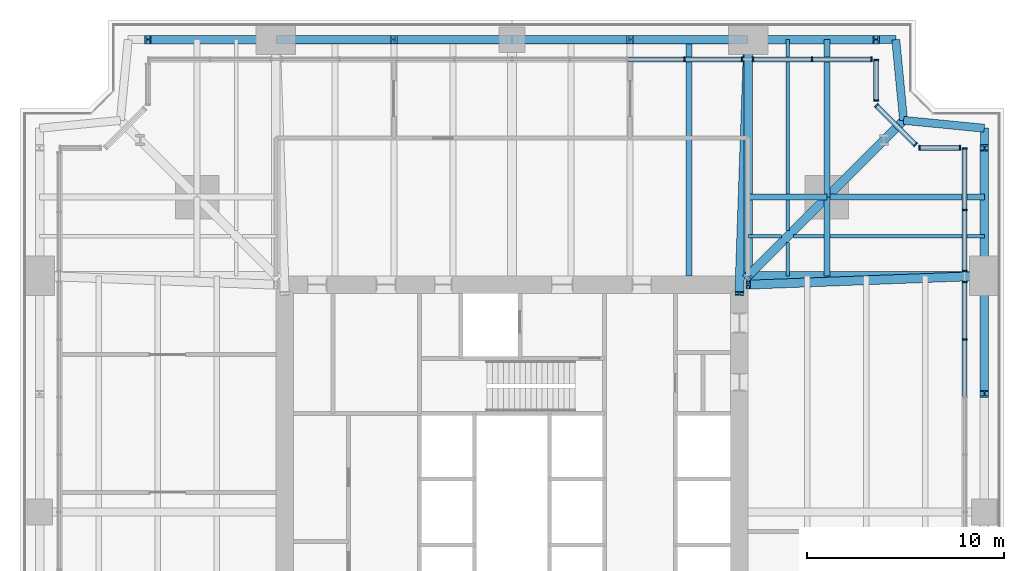
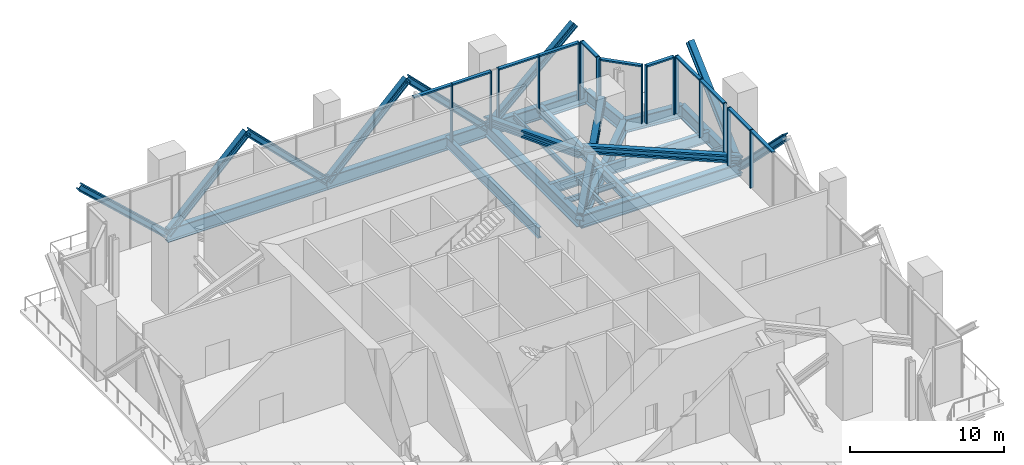
# One storey, part 8 of 14: 38 members, 21 beams, 7 elements without a shape of their own.
"""IFC4 building model written with IfcOpenShell, lengths in metres."""

from ifc_helpers import new_model, si_unit, direction, frame, origin, origin_2d, place, context, subcontext, project, spatial, rectangle, i_section, extrude, material, material_profile, profile_set, type_object, element, aggregate, save


model = new_model("IFC4")

# Units and contexts
model_context = context("Model", 3, precision=1e-05, world=origin(), true_north=direction((0.0, 1.0)))
body_context = subcontext(model_context, "Body", "Model", "MODEL_VIEW")
ifc_project = project(units=[si_unit("LENGTHUNIT", "METRE"), si_unit("AREAUNIT", "SQUARE_METRE"), si_unit("VOLUMEUNIT", "CUBIC_METRE"), si_unit("PLANEANGLEUNIT", "RADIAN"), si_unit("MASSUNIT", "GRAM", prefix="KILO")], contexts=[model_context])

# Site, building, storey
site_placement = place(None, origin())
site = spatial("IfcSite", under=ifc_project, at=site_placement, CompositionType="ELEMENT")
building_placement = place(site_placement, origin())
building = spatial("IfcBuilding", under=site, at=building_placement, Name="Fenwick Lantern Interchange", CompositionType="ELEMENT")
storey_placement = place(building_placement, frame((0.0, 0.0, 162.39990234375)))
storey = spatial("IfcBuildingStorey", under=building, at=storey_placement, Name="L38", CompositionType="ELEMENT", Elevation=162.39990234375)

# Members
ifc_material_1 = material(Name="Steel ASTM A992 Grade 50", Category="steel")
ifc_material_profile_1 = material_profile(ifc_material_1, i_section(OverallWidth=0.431884765625, OverallDepth=0.497802734375, WebThickness=0.0556640625, FlangeThickness=0.0888671875, at=origin_2d()), Name="W14X500")
ifc_profile_set_1 = profile_set([ifc_material_profile_1], Name="Steel ASTM A992 Grade 50")
member_type_1 = type_object("IfcMemberType", Name="BELT TRUSS DIAGONAL W14X500", PredefinedType="BRACE", material=ifc_profile_set_1)
member_1_placement = place(storey_placement, frame((49.0, 37.0, -0.64990234375), z_axis=(0.0, -0.707106781187, 0.707106781187), x_axis=(1.0, 0.0, 0.0)))
element("IfcMember", 1, at=member_1_placement, inside=storey, type_object=member_type_1, Name="L38/BT/E/D5", PredefinedType="BRACE", context=body_context, shape_type="SweptSolid", body=[
    extrude(i_section(OverallWidth=0.431884765625, OverallDepth=0.497802734375, WebThickness=0.0556640625, FlangeThickness=0.0888671875, at=origin_2d()), origin(), (0.0, 0.0, 1.0), 8.4853515625),
])
for number, where, z_axis, x_axis, name in (
    (2, (49.0, 37.0, -0.64990234375), (0.0, 0.734803444627, 0.678280102733), (-1.0, 0.0, 0.0), "L38/BT/E/D6"),
    (3, (37.0, 49.0, -0.64990234375), (0.734803444627, 0.0, 0.678280102733), (0.0, 1.0, 0.0), "L38/BT/N/D1"),
):
    element("IfcMember", number, at=place(storey_placement, frame(where, z_axis=z_axis, x_axis=x_axis)), inside=storey, type_object=member_type_1, Name=name, PredefinedType="BRACE", context=body_context, shape_type="SweptSolid", body=[
        extrude(i_section(OverallWidth=0.431884765625, OverallDepth=0.497802734375, WebThickness=0.0556640625, FlangeThickness=0.0888671875, at=origin_2d()), origin(), (0.0, 0.0, 1.0), 8.845947265625),
    ])
for number, where, z_axis, x_axis, name in (
    (4, (37.0, 49.0, -0.64990234375), (-0.707106781187, 0.0, 0.707106781187), (0.0, -1.0, 0.0), "L38/BT/N/D2"),
    (5, (25.0, 49.0, -0.64990234375), (0.707106781187, 0.0, 0.707106781187), (0.0, 1.0, 0.0), "L38/BT/N/D3"),
    (6, (25.0, 49.0, -0.64990234375), (-0.707106781187, 0.0, 0.707106781187), (0.0, -1.0, 0.0), "L38/BT/N/D4"),
    (7, (13.0, 49.0, -0.64990234375), (0.707106781187, 0.0, 0.707106781187), (0.0, 1.0, 0.0), "L38/BT/N/D5"),
):
    element("IfcMember", number, at=place(storey_placement, frame(where, z_axis=z_axis, x_axis=x_axis)), inside=storey, type_object=member_type_1, Name=name, PredefinedType="BRACE", context=body_context, shape_type="SweptSolid", body=[
        extrude(i_section(OverallWidth=0.431884765625, OverallDepth=0.497802734375, WebThickness=0.0556640625, FlangeThickness=0.0888671875, at=origin_2d()), origin(), (0.0, 0.0, 1.0), 8.4853515625),
    ])
member_2_placement = place(storey_placement, frame((13.0, 49.0, -0.64990234375), z_axis=(-0.734803444627, 0.0, 0.678280102733), x_axis=(0.0, -1.0, 0.0)))
element("IfcMember", 8, at=member_2_placement, inside=storey, type_object=member_type_1, Name="L38/BT/N/D6", PredefinedType="BRACE", context=body_context, shape_type="SweptSolid", body=[
    extrude(i_section(OverallWidth=0.431884765625, OverallDepth=0.497802734375, WebThickness=0.0556640625, FlangeThickness=0.0888671875, at=origin_2d()), origin(), (0.0, 0.0, 1.0), 8.845947265625),
])

# Beams
ifc_material_profile_2 = material_profile(ifc_material_1, i_section(OverallWidth=0.408935546875, OverallDepth=1.04150390625, WebThickness=0.031005859375, FlangeThickness=0.055908203125, at=origin_2d()), Name="W40X397")
ifc_profile_set_2 = profile_set([ifc_material_profile_2], Name="Steel ASTM A992 Grade 50")
beam_type_1 = type_object("IfcBeamType", Name="EDGE BEAM W40X397", PredefinedType="SPANDREL", material=ifc_profile_set_2)
beam_1_placement = place(storey_placement, frame((49.0, 37.0, -0.720703125), z_axis=(0.0, 1.0, 0.0), x_axis=(-1.0, 0.0, 0.0)))
element("IfcBeam", 9, at=beam_1_placement, inside=storey, type_object=beam_type_1, Name="L38/FR/E/EB4", PredefinedType="SPANDREL", context=body_context, shape_type="SweptSolid", body=[
    extrude(i_section(OverallWidth=0.408935546875, OverallDepth=1.04150390625, WebThickness=0.031005859375, FlangeThickness=0.055908203125, at=origin_2d()), origin(), (0.0, 0.0, 1.0), 7.5),
])
for number, where, z_axis, x_axis, name in (
    (10, (49.0, 44.5, -0.720703125), (-0.995277148028, 0.097074191287, 0.0), (-0.097074191287, -0.995277148028, 0.0), "L38/FR/E/EBR1"),
    (11, (44.89990234375, 44.89990234375, -0.720703125), (-0.097074191287, 0.995277148028, 0.0), (-0.995277148028, -0.097074191287, 0.0), "L38/FR/E/EBR2"),
):
    element("IfcBeam", number, at=place(storey_placement, frame(where, z_axis=z_axis, x_axis=x_axis)), inside=storey, type_object=beam_type_1, Name=name, PredefinedType="SPANDREL", context=body_context, shape_type="SweptSolid", body=[
        extrude(i_section(OverallWidth=0.408935546875, OverallDepth=1.04150390625, WebThickness=0.031005859375, FlangeThickness=0.055908203125, at=origin_2d()), origin(), (0.0, 0.0, 1.0), 4.11962890625),
    ])
beam_2_placement = place(storey_placement, frame((44.5, 49.0, -0.720703125), z_axis=(-1.0, 0.0, 0.0), x_axis=(0.0, -1.0, 0.0)))
element("IfcBeam", 12, at=beam_2_placement, inside=storey, type_object=beam_type_1, Name="L38/FR/N/EB1", PredefinedType="SPANDREL", context=body_context, shape_type="SweptSolid", body=[
    extrude(i_section(OverallWidth=0.408935546875, OverallDepth=1.04150390625, WebThickness=0.031005859375, FlangeThickness=0.055908203125, at=origin_2d()), origin(), (0.0, 0.0, 1.0), 7.5),
])
for number, where, z_axis, x_axis, name in (
    (13, (37.0, 49.0, -0.720703125), (-1.0, 0.0, 0.0), (0.0, -1.0, 0.0), "L38/FR/N/EB2"),
    (14, (25.0, 49.0, -0.720703125), (-1.0, 0.0, 0.0), (0.0, -1.0, 0.0), "L38/FR/N/EB3"),
):
    element("IfcBeam", number, at=place(storey_placement, frame(where, z_axis=z_axis, x_axis=x_axis)), inside=storey, type_object=beam_type_1, Name=name, PredefinedType="SPANDREL", context=body_context, shape_type="SweptSolid", body=[
        extrude(i_section(OverallWidth=0.408935546875, OverallDepth=1.04150390625, WebThickness=0.031005859375, FlangeThickness=0.055908203125, at=origin_2d()), origin(), (0.0, 0.0, 1.0), 12.0),
    ])
ifc_material_profile_3 = material_profile(ifc_material_1, i_section(OverallWidth=0.2919921875, OverallDepth=0.845703125, WebThickness=0.015380859375, FlangeThickness=0.0244140625, at=origin_2d()), Name="W33X141")
ifc_profile_set_3 = profile_set([ifc_material_profile_3], Name="Steel ASTM A992 Grade 50")
beam_type_2 = type_object("IfcBeamType", Name="FLOOR BEAM W33X141", PredefinedType="BEAM", material=ifc_profile_set_3)
beam_3_placement = place(storey_placement, frame((34.0, 49.0, -0.622802734375), z_axis=(0.0, -1.0, 0.0), x_axis=(1.0, 0.0, 0.0)))
element("IfcBeam", 15, at=beam_3_placement, inside=storey, type_object=beam_type_2, Name="L38/FR/N/R02", PredefinedType="BEAM", context=body_context, shape_type="SweptSolid", body=[
    extrude(i_section(OverallWidth=0.2919921875, OverallDepth=0.845703125, WebThickness=0.015380859375, FlangeThickness=0.0244140625, at=origin_2d()), origin(), (0.0, 0.0, 1.0), 12.0),
])
ifc_material_profile_4 = material_profile(ifc_material_1, i_section(OverallWidth=0.177734375, OverallDepth=0.406494140625, WebThickness=0.0078125, FlangeThickness=0.012939453125, at=origin_2d()), Name="W16X40")
ifc_profile_set_4 = profile_set([ifc_material_profile_4], Name="Steel ASTM A992 Grade 50")
beam_type_3 = type_object("IfcBeamType", Name="INFILL BEAM W16X40", PredefinedType="JOIST", material=ifc_profile_set_4)
beam_4_placement = place(storey_placement, frame((39.0, 49.0, -0.403076171875), z_axis=(0.0, -1.0, 0.0), x_axis=(1.0, 0.0, 0.0)))
element("IfcBeam", 16, at=beam_4_placement, inside=storey, type_object=beam_type_3, Name="L38/FR/N/J1", PredefinedType="JOIST", context=body_context, shape_type="SweptSolid", body=[
    extrude(i_section(OverallWidth=0.177734375, OverallDepth=0.406494140625, WebThickness=0.0078125, FlangeThickness=0.012939453125, at=origin_2d()), origin(), (0.0, 0.0, 1.0), 7.85400390625),
])
beam_5_placement = place(storey_placement, frame((39.0, 40.85400390625, -0.403076171875), z_axis=(0.0, -1.0, 0.0), x_axis=(1.0, 0.0, 0.0)))
element("IfcBeam", 17, at=beam_5_placement, inside=storey, type_object=beam_type_3, Name="L38/FR/N/J2", PredefinedType="JOIST", context=body_context, shape_type="SweptSolid", body=[
    extrude(i_section(OverallWidth=0.177734375, OverallDepth=0.406494140625, WebThickness=0.0078125, FlangeThickness=0.012939453125, at=origin_2d()), origin(), (0.0, 0.0, 1.0), 1.537841796875),
])
beam_6_placement = place(storey_placement, frame((39.0, 38.683837890625, -0.403076171875), z_axis=(0.0, -1.0, 0.0), x_axis=(1.0, 0.0, 0.0)))
element("IfcBeam", 18, at=beam_6_placement, inside=storey, type_object=beam_type_3, Name="L38/FR/N/J6", PredefinedType="JOIST", context=body_context, shape_type="SweptSolid", body=[
    extrude(i_section(OverallWidth=0.177734375, OverallDepth=0.406494140625, WebThickness=0.0078125, FlangeThickness=0.012939453125, at=origin_2d()), origin(), (0.0, 0.0, 1.0), 1.683837890625),
])
beam_7_placement = place(storey_placement, frame((49.0, 39.0, -0.403076171875), z_axis=(-1.0, 0.0, 0.0), x_axis=(0.0, -1.0, 0.0)))
element("IfcBeam", 19, at=beam_7_placement, inside=storey, type_object=beam_type_3, Name="L38/FR/N/J3", PredefinedType="JOIST", context=body_context, shape_type="SweptSolid", body=[
    extrude(i_section(OverallWidth=0.177734375, OverallDepth=0.406494140625, WebThickness=0.0078125, FlangeThickness=0.012939453125, at=origin_2d()), origin(), (0.0, 0.0, 1.0), 7.85400390625),
])
beam_8_placement = place(storey_placement, frame((40.85400390625, 39.0, -0.403076171875), z_axis=(-1.0, 0.0, 0.0), x_axis=(0.0, -1.0, 0.0)))
element("IfcBeam", 20, at=beam_8_placement, inside=storey, type_object=beam_type_3, Name="L38/FR/N/J4", PredefinedType="JOIST", context=body_context, shape_type="SweptSolid", body=[
    extrude(i_section(OverallWidth=0.177734375, OverallDepth=0.406494140625, WebThickness=0.0078125, FlangeThickness=0.012939453125, at=origin_2d()), origin(), (0.0, 0.0, 1.0), 1.537841796875),
])
beam_9_placement = place(storey_placement, frame((38.683837890625, 39.0, -0.403076171875), z_axis=(-1.0, 0.0, 0.0), x_axis=(0.0, -1.0, 0.0)))
element("IfcBeam", 21, at=beam_9_placement, inside=storey, type_object=beam_type_3, Name="L38/FR/N/J5", PredefinedType="JOIST", context=body_context, shape_type="SweptSolid", body=[
    extrude(i_section(OverallWidth=0.177734375, OverallDepth=0.406494140625, WebThickness=0.0078125, FlangeThickness=0.012939453125, at=origin_2d()), origin(), (0.0, 0.0, 1.0), 1.683837890625),
])
ifc_material_profile_5 = material_profile(ifc_material_1, i_section(OverallWidth=0.2919921875, OverallDepth=0.845703125, WebThickness=0.015380859375, FlangeThickness=0.0244140625, at=origin_2d()), Name="W33X141")
ifc_profile_set_5 = profile_set([ifc_material_profile_5], Name="Steel ASTM A992 Grade 50")
beam_type_4 = type_object("IfcBeamType", Name="MEGA COLUMN BEAM W33X141", PredefinedType="BEAM", material=ifc_profile_set_5)
for number, where, z_axis, x_axis, name in (
    (22, (41.0, 41.0, -0.622802734375), (0.0, 1.0, 0.0), (-1.0, 0.0, 0.0), "L38/FR/N/MB1"),
    (23, (41.0, 41.0, -0.622802734375), (1.0, 0.0, 0.0), (0.0, 1.0, 0.0), "L38/FR/N/MB2"),
):
    element("IfcBeam", number, at=place(storey_placement, frame(where, z_axis=z_axis, x_axis=x_axis)), inside=storey, type_object=beam_type_4, Name=name, PredefinedType="BEAM", context=body_context, shape_type="SweptSolid", body=[
        extrude(i_section(OverallWidth=0.2919921875, OverallDepth=0.845703125, WebThickness=0.015380859375, FlangeThickness=0.0244140625, at=origin_2d()), origin(), (0.0, 0.0, 1.0), 8.0),
    ])
for number, where, z_axis, x_axis, name in (
    (24, (41.0, 41.0, -0.622802734375), (-1.0, 0.0, 0.0), (0.0, -1.0, 0.0), "L38/FR/N/MB3"),
    (25, (41.0, 41.0, -0.622802734375), (0.0, -1.0, 0.0), (1.0, 0.0, 0.0), "L38/FR/N/MB4"),
):
    element("IfcBeam", number, at=place(storey_placement, frame(where, z_axis=z_axis, x_axis=x_axis)), inside=storey, type_object=beam_type_4, Name=name, PredefinedType="BEAM", context=body_context, shape_type="SweptSolid", body=[
        extrude(i_section(OverallWidth=0.2919921875, OverallDepth=0.845703125, WebThickness=0.015380859375, FlangeThickness=0.0244140625, at=origin_2d()), origin(), (0.0, 0.0, 1.0), 4.0),
    ])
ifc_material_profile_6 = material_profile(ifc_material_1, i_section(OverallWidth=0.434326171875, OverallDepth=0.9931640625, WebThickness=0.0380859375, FlangeThickness=0.06396484375, at=origin_2d()), Name="W36X487")
ifc_profile_set_6 = profile_set([ifc_material_profile_6], Name="Steel ASTM A992 Grade 50")
beam_type_5 = type_object("IfcBeamType", Name="MOMENT-CONNECTED GIRDER W36X487", PredefinedType="BEAM", material=ifc_profile_set_6)
beam_10_placement = place(storey_placement, frame((37.0, 49.0, -0.696533203125), z_axis=(0.0, -1.0, 0.0), x_axis=(1.0, 0.0, 0.0)))
element("IfcBeam", 26, at=beam_10_placement, inside=storey, type_object=beam_type_5, Name="L38/FR/N/R01", PredefinedType="BEAM", context=body_context, shape_type="SweptSolid", body=[
    extrude(i_section(OverallWidth=0.434326171875, OverallDepth=0.9931640625, WebThickness=0.0380859375, FlangeThickness=0.06396484375, at=origin_2d()), origin(), (0.0, 0.0, 1.0), 12.0),
])
ifc_material_profile_7 = material_profile(ifc_material_1, i_section(OverallWidth=0.447021484375, OverallDepth=1.0439453125, WebThickness=0.050048828125, FlangeThickness=0.08984375, at=origin_2d()), Name="W36X652")
ifc_profile_set_7 = profile_set([ifc_material_profile_7], Name="Steel ASTM A992 Grade 50")
beam_type_6 = type_object("IfcBeamType", Name="MOMENT-CONNECTED GIRDER W36X652", PredefinedType="BEAM", material=ifc_profile_set_7)
beam_11_placement = place(storey_placement, frame((49.0, 37.0, -0.721923828125), z_axis=(-1.0, 0.0, 0.0), x_axis=(0.0, -1.0, 0.0)))
element("IfcBeam", 27, at=beam_11_placement, inside=storey, type_object=beam_type_6, Name="L38/FR/E/R03", PredefinedType="BEAM", context=body_context, shape_type="SweptSolid", body=[
    extrude(i_section(OverallWidth=0.447021484375, OverallDepth=1.0439453125, WebThickness=0.050048828125, FlangeThickness=0.08984375, at=origin_2d()), origin(), (0.0, 0.0, 1.0), 12.0),
])
ifc_material_profile_8 = material_profile(ifc_material_1, i_section(OverallWidth=0.447021484375, OverallDepth=1.0439453125, WebThickness=0.050048828125, FlangeThickness=0.08984375, at=origin_2d()), Name="W36X652")
ifc_profile_set_8 = profile_set([ifc_material_profile_8], Name="Steel ASTM A992 Grade 50")
beam_type_7 = type_object("IfcBeamType", Name="NOTCH BEAM W36X652", PredefinedType="BEAM", material=ifc_profile_set_8)
beam_12_placement = place(storey_placement, frame((41.0, 41.0, -0.721923828125), z_axis=(0.707106781187, 0.707106781187, 0.0), x_axis=(-0.707106781187, 0.707106781187, 0.0)))
element("IfcBeam", 28, at=beam_12_placement, inside=storey, type_object=beam_type_7, Name="L38/FR/N/TG", PredefinedType="BEAM", context=body_context, shape_type="SweptSolid", body=[
    extrude(i_section(OverallWidth=0.447021484375, OverallDepth=1.0439453125, WebThickness=0.050048828125, FlangeThickness=0.08984375, at=origin_2d()), origin(), (0.0, 0.0, 1.0), 5.515380859375),
])
ifc_material_profile_9 = material_profile(ifc_material_1, i_section(OverallWidth=0.447021484375, OverallDepth=1.0439453125, WebThickness=0.050048828125, FlangeThickness=0.08984375, at=origin_2d()), Name="W36X652")
ifc_profile_set_9 = profile_set([ifc_material_profile_9], Name="Steel ASTM A992 Grade 50")
beam_type_8 = type_object("IfcBeamType", Name="OUTRIGGER CHORD W36X652", PredefinedType="BEAM", material=ifc_profile_set_9)
beam_13_placement = place(storey_placement, frame((37.0, 37.0, -0.721923828125), z_axis=(0.707106781187, 0.707106781187, 0.0), x_axis=(-0.707106781187, 0.707106781187, 0.0)))
element("IfcBeam", 29, at=beam_13_placement, inside=storey, type_object=beam_type_8, Name="L38/OR/N/BC", PredefinedType="BEAM", context=body_context, shape_type="SweptSolid", body=[
    extrude(i_section(OverallWidth=0.447021484375, OverallDepth=1.0439453125, WebThickness=0.050048828125, FlangeThickness=0.08984375, at=origin_2d()), origin(), (0.0, 0.0, 1.0), 5.65673828125),
])

# Members
ifc_material_profile_10 = material_profile(ifc_material_1, i_section(OverallWidth=0.45458984375, OverallDepth=0.56884765625, WebThickness=0.077880859375, FlangeThickness=0.124755859375, at=origin_2d()), Name="W14X730")
ifc_profile_set_10 = profile_set([ifc_material_profile_10], Name="Steel ASTM A992 Grade 50")
member_type_2 = type_object("IfcMemberType", Name="OUTRIGGER DIAGONAL W14X730", PredefinedType="BRACE", material=ifc_profile_set_10)
member_3_placement = place(storey_placement, frame((49.0, 37.0, 0.0), z_axis=(-0.914830425653, -0.034302418507, 0.402378722579), x_axis=(0.037469600146, -0.999297767968, 0.0)))
element("IfcMember", 30, at=member_3_placement, inside=storey, type_object=member_type_2, Name="L38/OR/E/W2", PredefinedType="BRACE", context=body_context, shape_type="SweptSolid", body=[
    extrude(i_section(OverallWidth=0.45458984375, OverallDepth=0.56884765625, WebThickness=0.077880859375, FlangeThickness=0.124755859375, at=origin_2d()), origin(), (0.0, 0.0, 1.0), 13.1171875),
])
member_4_placement = place(storey_placement, frame((37.0, 37.0, -0.721923828125), z_axis=(0.485071250073, 0.485071250073, 0.727606875109), x_axis=(-0.707106781187, 0.707106781187, 0.0)))
element("IfcMember", 31, at=member_4_placement, inside=storey, type_object=member_type_2, Name="L38/OR/N/D", PredefinedType="BRACE", context=body_context, shape_type="SweptSolid", body=[
    extrude(i_section(OverallWidth=0.45458984375, OverallDepth=0.56884765625, WebThickness=0.077880859375, FlangeThickness=0.124755859375, at=origin_2d()), origin(), (0.0, 0.0, 1.0), 8.24609375),
])
member_5_placement = place(storey_placement, frame((37.0, 49.0, 0.0), z_axis=(-0.032243448773, -0.924405505307, 0.380045815356), x_axis=(0.999392240336, -0.034859001078, 0.0)))
element("IfcMember", 32, at=member_5_placement, inside=storey, type_object=member_type_2, Name="L38/OR/N/W1", PredefinedType="BRACE", context=body_context, shape_type="SweptSolid", body=[
    extrude(i_section(OverallWidth=0.45458984375, OverallDepth=0.56884765625, WebThickness=0.077880859375, FlangeThickness=0.124755859375, at=origin_2d()), origin(), (0.0, 0.0, 1.0), 13.954833984375),
])

# Curtain wall, members
ifc_material_2 = material(Name="Aluminium curtain wall frame", Category="aluminium")
curtain_wall_type = type_object("IfcCurtainWallType", Name="PLANT LOUVRE SCREEN", PredefinedType="USERDEFINED", material=ifc_material_2)
curtain_wall_1_placement = place(storey_placement, origin())
curtain_wall_1 = element("IfcCurtainWall", 33, at=curtain_wall_1_placement, inside=storey, type_object=curtain_wall_type, Name="Plant louvre screen 04B", ObjectType="PLANT LOUVRE SCREEN", PredefinedType="USERDEFINED")
ifc_material_3 = material(Name="Aluminium extrusion", Category="aluminium")
ifc_material_profile_11 = material_profile(ifc_material_3, rectangle(XDim=0.25, YDim=0.074951171875, at=origin_2d()), Name="PLANT LOUVRE SCREEN MULLION 75 X 250")
ifc_profile_set_11 = profile_set([ifc_material_profile_11], Name="Aluminium extrusion")
member_type_3 = type_object("IfcMemberType", Name="PLANT LOUVRE SCREEN MULLION 75 X 250", PredefinedType="MULLION", material=ifc_profile_set_11)
member_6_placement = place(storey_placement, frame((48.0, 33.76220703125, 0.0), z_axis=(0.0, 0.0, 1.0), x_axis=(-1.0, 0.0, 0.0)))
member_6 = element("IfcMember", 34, at=member_6_placement, type_object=member_type_3, Name="L38/CW/04B/M07", PredefinedType="MULLION", context=body_context, shape_type="SweptSolid", body=[
    extrude(rectangle(XDim=0.25, YDim=0.074951171875, at=origin_2d()), origin(), (0.0, 0.0, 1.0), 4.60009765625),
])
member_7_placement = place(storey_placement, frame((48.0, 36.682861328125, 0.0), z_axis=(0.0, 0.0, 1.0), x_axis=(-1.0, 0.0, 0.0)))
member_7 = element("IfcMember", 35, at=member_7_placement, type_object=member_type_3, Name="L38/CW/04B/M08", PredefinedType="MULLION", context=body_context, shape_type="SweptSolid", body=[
    extrude(rectangle(XDim=0.25, YDim=0.074951171875, at=origin_2d()), origin(), (0.0, 0.0, 1.0), 4.60009765625),
])

curtain_wall_2_placement = place(storey_placement, origin())
curtain_wall_2 = element("IfcCurtainWall", 36, at=curtain_wall_2_placement, inside=storey, type_object=curtain_wall_type, Name="Plant louvre screen 04C", ObjectType="PLANT LOUVRE SCREEN", PredefinedType="USERDEFINED")
member_8_placement = place(storey_placement, frame((48.0, 37.2421875, 0.0), z_axis=(0.0, 0.0, 1.0), x_axis=(-1.0, 0.0, 0.0)))
member_8 = element("IfcMember", 37, at=member_8_placement, type_object=member_type_3, Name="L38/CW/04C/M00", PredefinedType="MULLION", context=body_context, shape_type="SweptSolid", body=[
    extrude(rectangle(XDim=0.25, YDim=0.074951171875, at=origin_2d()), origin(), (0.0, 0.0, 1.0), 4.60009765625),
])
member_9_placement = place(storey_placement, frame((48.0, 40.352294921875, 0.0), z_axis=(0.0, 0.0, 1.0), x_axis=(-1.0, 0.0, 0.0)))
member_9 = element("IfcMember", 38, at=member_9_placement, type_object=member_type_3, Name="L38/CW/04C/M01", PredefinedType="MULLION", context=body_context, shape_type="SweptSolid", body=[
    extrude(rectangle(XDim=0.25, YDim=0.074951171875, at=origin_2d()), origin(), (0.0, 0.0, 1.0), 4.60009765625),
])
member_10_placement = place(storey_placement, frame((48.0, 43.46240234375, 0.0), z_axis=(0.0, 0.0, 1.0), x_axis=(-1.0, 0.0, 0.0)))
member_10 = element("IfcMember", 39, at=member_10_placement, type_object=member_type_3, Name="L38/CW/04C/M02", PredefinedType="MULLION", context=body_context, shape_type="SweptSolid", body=[
    extrude(rectangle(XDim=0.25, YDim=0.074951171875, at=origin_2d()), origin(), (0.0, 0.0, 1.0), 4.60009765625),
])

curtain_wall_3_placement = place(storey_placement, origin())
curtain_wall_3 = element("IfcCurtainWall", 40, at=curtain_wall_3_placement, inside=storey, type_object=curtain_wall_type, Name="Plant louvre screen 05", ObjectType="PLANT LOUVRE SCREEN", PredefinedType="USERDEFINED")
member_11_placement = place(storey_placement, frame((47.762451171875, 43.5, 0.0), z_axis=(0.0, 0.0, 1.0), x_axis=(0.0, -1.0, 0.0)))
member_11 = element("IfcMember", 41, at=member_11_placement, type_object=member_type_3, Name="L38/CW/05/M00", PredefinedType="MULLION", context=body_context, shape_type="SweptSolid", body=[
    extrude(rectangle(XDim=0.25, YDim=0.074951171875, at=origin_2d()), origin(), (0.0, 0.0, 1.0), 4.60009765625),
])
member_12_placement = place(storey_placement, frame((45.708984375, 43.5, 0.0), z_axis=(0.0, 0.0, 1.0), x_axis=(0.0, -1.0, 0.0)))
member_12 = element("IfcMember", 42, at=member_12_placement, type_object=member_type_3, Name="L38/CW/05/M01", PredefinedType="MULLION", context=body_context, shape_type="SweptSolid", body=[
    extrude(rectangle(XDim=0.25, YDim=0.074951171875, at=origin_2d()), origin(), (0.0, 0.0, 1.0), 4.60009765625),
])

curtain_wall_4_placement = place(storey_placement, origin())
curtain_wall_4 = element("IfcCurtainWall", 43, at=curtain_wall_4_placement, inside=storey, type_object=curtain_wall_type, Name="Plant louvre screen 06", ObjectType="PLANT LOUVRE SCREEN", PredefinedType="USERDEFINED")
member_13_placement = place(storey_placement, frame((45.503662109375, 43.66796875, 0.0), z_axis=(0.0, 0.0, 1.0), x_axis=(-0.707106781187, -0.707106781187, 0.0)))
member_13 = element("IfcMember", 44, at=member_13_placement, type_object=member_type_3, Name="L38/CW/06/M00", PredefinedType="MULLION", context=body_context, shape_type="SweptSolid", body=[
    extrude(rectangle(XDim=0.25, YDim=0.074951171875, at=origin_2d()), origin(), (0.0, 0.0, 1.0), 4.60009765625),
])
member_14_placement = place(storey_placement, frame((43.526611328125, 45.64501953125, 0.0), z_axis=(0.0, 0.0, 1.0), x_axis=(-0.707106781187, -0.707106781187, 0.0)))
member_14 = element("IfcMember", 45, at=member_14_placement, type_object=member_type_3, Name="L38/CW/06/M01", PredefinedType="MULLION", context=body_context, shape_type="SweptSolid", body=[
    extrude(rectangle(XDim=0.25, YDim=0.074951171875, at=origin_2d()), origin(), (0.0, 0.0, 1.0), 4.60009765625),
])

curtain_wall_5_placement = place(storey_placement, origin())
curtain_wall_5 = element("IfcCurtainWall", 46, at=curtain_wall_5_placement, inside=storey, type_object=curtain_wall_type, Name="Plant louvre screen 07", ObjectType="PLANT LOUVRE SCREEN", PredefinedType="USERDEFINED")
member_15_placement = place(storey_placement, frame((43.5, 45.9091796875, 0.0), z_axis=(0.0, 0.0, 1.0), x_axis=(-1.0, 0.0, 0.0)))
member_15 = element("IfcMember", 47, at=member_15_placement, type_object=member_type_3, Name="L38/CW/07/M00", PredefinedType="MULLION", context=body_context, shape_type="SweptSolid", body=[
    extrude(rectangle(XDim=0.25, YDim=0.074951171875, at=origin_2d()), origin(), (0.0, 0.0, 1.0), 4.60009765625),
])
member_16_placement = place(storey_placement, frame((43.5, 47.96240234375, 0.0), z_axis=(0.0, 0.0, 1.0), x_axis=(-1.0, 0.0, 0.0)))
member_16 = element("IfcMember", 48, at=member_16_placement, type_object=member_type_3, Name="L38/CW/07/M01", PredefinedType="MULLION", context=body_context, shape_type="SweptSolid", body=[
    extrude(rectangle(XDim=0.25, YDim=0.074951171875, at=origin_2d()), origin(), (0.0, 0.0, 1.0), 4.60009765625),
])

curtain_wall_6_placement = place(storey_placement, origin())
curtain_wall_6 = element("IfcCurtainWall", 49, at=curtain_wall_6_placement, inside=storey, type_object=curtain_wall_type, Name="Plant louvre screen 08A", ObjectType="PLANT LOUVRE SCREEN", PredefinedType="USERDEFINED")
member_17_placement = place(storey_placement, frame((43.262451171875, 48.0, 0.0), z_axis=(0.0, 0.0, 1.0), x_axis=(0.0, -1.0, 0.0)))
member_17 = element("IfcMember", 50, at=member_17_placement, type_object=member_type_3, Name="L38/CW/08A/M00", PredefinedType="MULLION", context=body_context, shape_type="SweptSolid", body=[
    extrude(rectangle(XDim=0.25, YDim=0.074951171875, at=origin_2d()), origin(), (0.0, 0.0, 1.0), 4.60009765625),
])
member_18_placement = place(storey_placement, frame((40.25341796875, 48.0, 0.0), z_axis=(0.0, 0.0, 1.0), x_axis=(0.0, -1.0, 0.0)))
member_18 = element("IfcMember", 51, at=member_18_placement, type_object=member_type_3, Name="L38/CW/08A/M01", PredefinedType="MULLION", context=body_context, shape_type="SweptSolid", body=[
    extrude(rectangle(XDim=0.25, YDim=0.074951171875, at=origin_2d()), origin(), (0.0, 0.0, 1.0), 4.60009765625),
])
member_19_placement = place(storey_placement, frame((37.244384765625, 48.0, 0.0), z_axis=(0.0, 0.0, 1.0), x_axis=(0.0, -1.0, 0.0)))
member_19 = element("IfcMember", 52, at=member_19_placement, type_object=member_type_3, Name="L38/CW/08A/M02", PredefinedType="MULLION", context=body_context, shape_type="SweptSolid", body=[
    extrude(rectangle(XDim=0.25, YDim=0.074951171875, at=origin_2d()), origin(), (0.0, 0.0, 1.0), 4.60009765625),
])

curtain_wall_7_placement = place(storey_placement, origin())
curtain_wall_7 = element("IfcCurtainWall", 53, at=curtain_wall_7_placement, inside=storey, type_object=curtain_wall_type, Name="Plant louvre screen 08B", ObjectType="PLANT LOUVRE SCREEN", PredefinedType="USERDEFINED")
member_20_placement = place(storey_placement, frame((36.685791015625, 48.0, 0.0), z_axis=(0.0, 0.0, 1.0), x_axis=(0.0, -1.0, 0.0)))
member_20 = element("IfcMember", 54, at=member_20_placement, type_object=member_type_3, Name="L38/CW/08B/M00", PredefinedType="MULLION", context=body_context, shape_type="SweptSolid", body=[
    extrude(rectangle(XDim=0.25, YDim=0.074951171875, at=origin_2d()), origin(), (0.0, 0.0, 1.0), 4.60009765625),
])
member_21_placement = place(storey_placement, frame((33.764404296875, 48.0, 0.0), z_axis=(0.0, 0.0, 1.0), x_axis=(0.0, -1.0, 0.0)))
member_21 = element("IfcMember", 55, at=member_21_placement, type_object=member_type_3, Name="L38/CW/08B/M01", PredefinedType="MULLION", context=body_context, shape_type="SweptSolid", body=[
    extrude(rectangle(XDim=0.25, YDim=0.074951171875, at=origin_2d()), origin(), (0.0, 0.0, 1.0), 4.60009765625),
])

# Member
ifc_material_profile_12 = material_profile(ifc_material_3, rectangle(XDim=0.25, YDim=0.1201171875, at=origin_2d()), Name="PLANT LOUVRE SCREEN TRANSOM 120 X 250")
ifc_profile_set_12 = profile_set([ifc_material_profile_12], Name="Aluminium extrusion")
member_type_4 = type_object("IfcMemberType", Name="PLANT LOUVRE SCREEN TRANSOM 120 X 250", PredefinedType="MULLION", material=ifc_profile_set_12)
member_22_placement = place(storey_placement, frame((48.0, 30.87890625, 4.5400390625), z_axis=(0.0, 1.0, 0.0), x_axis=(-1.0, 0.0, 0.0)))
member_22 = element("IfcMember", 56, at=member_22_placement, type_object=member_type_4, Name="L38/CW/04B/T06", PredefinedType="MULLION", context=body_context, shape_type="SweptSolid", body=[
    extrude(rectangle(XDim=0.25, YDim=0.1201171875, at=origin_2d()), origin(), (0.0, 0.0, 1.0), 2.845703125),
])

member_23_placement = place(storey_placement, frame((48.0, 33.799560546875, 4.5400390625), z_axis=(0.0, 1.0, 0.0), x_axis=(-1.0, 0.0, 0.0)))
member_23 = element("IfcMember", 57, at=member_23_placement, type_object=member_type_4, Name="L38/CW/04B/T07", PredefinedType="MULLION", context=body_context, shape_type="SweptSolid", body=[
    extrude(rectangle(XDim=0.25, YDim=0.1201171875, at=origin_2d()), origin(), (0.0, 0.0, 1.0), 2.845703125),
])

aggregate(curtain_wall_1, [member_6, member_7, member_22, member_23])

member_24_placement = place(storey_placement, frame((48.0, 37.27978515625, 4.5400390625), z_axis=(0.0, 1.0, 0.0), x_axis=(-1.0, 0.0, 0.0)))
member_24 = element("IfcMember", 58, at=member_24_placement, type_object=member_type_4, Name="L38/CW/04C/T00", PredefinedType="MULLION", context=body_context, shape_type="SweptSolid", body=[
    extrude(rectangle(XDim=0.25, YDim=0.1201171875, at=origin_2d()), origin(), (0.0, 0.0, 1.0), 3.03515625),
])

member_25_placement = place(storey_placement, frame((48.0, 40.389892578125, 4.5400390625), z_axis=(0.0, 1.0, 0.0), x_axis=(-1.0, 0.0, 0.0)))
member_25 = element("IfcMember", 59, at=member_25_placement, type_object=member_type_4, Name="L38/CW/04C/T01", PredefinedType="MULLION", context=body_context, shape_type="SweptSolid", body=[
    extrude(rectangle(XDim=0.25, YDim=0.1201171875, at=origin_2d()), origin(), (0.0, 0.0, 1.0), 3.03515625),
])

aggregate(curtain_wall_2, [member_8, member_9, member_10, member_24, member_25])

member_26_placement = place(storey_placement, frame((47.72509765625, 43.5, 4.5400390625), z_axis=(-1.0, 0.0, 0.0), x_axis=(0.0, -1.0, 0.0)))
member_26 = element("IfcMember", 60, at=member_26_placement, type_object=member_type_4, Name="L38/CW/05/T00", PredefinedType="MULLION", context=body_context, shape_type="SweptSolid", body=[
    extrude(rectangle(XDim=0.25, YDim=0.1201171875, at=origin_2d()), origin(), (0.0, 0.0, 1.0), 1.978515625),
])

aggregate(curtain_wall_3, [member_11, member_12, member_26])

member_27_placement = place(storey_placement, frame((45.47705078125, 43.6943359375, 4.5400390625), z_axis=(-0.707061921121, 0.707151638406, 0.0), x_axis=(-0.707151638406, -0.707061921121, 0.0)))
member_27 = element("IfcMember", 61, at=member_27_placement, type_object=member_type_4, Name="L38/CW/06/T00", PredefinedType="MULLION", context=body_context, shape_type="SweptSolid", body=[
    extrude(rectangle(XDim=0.25, YDim=0.1201171875, at=origin_2d()), origin(), (0.0, 0.0, 1.0), 2.72119140625),
])

aggregate(curtain_wall_4, [member_13, member_14, member_27])

member_28_placement = place(storey_placement, frame((43.5, 45.946533203125, 4.5400390625), z_axis=(0.0, 1.0, 0.0), x_axis=(-1.0, 0.0, 0.0)))
member_28 = element("IfcMember", 62, at=member_28_placement, type_object=member_type_4, Name="L38/CW/07/T00", PredefinedType="MULLION", context=body_context, shape_type="SweptSolid", body=[
    extrude(rectangle(XDim=0.25, YDim=0.1201171875, at=origin_2d()), origin(), (0.0, 0.0, 1.0), 1.978515625),
])

aggregate(curtain_wall_5, [member_15, member_16, member_28])

member_29_placement = place(storey_placement, frame((43.22509765625, 48.0, 4.5400390625), z_axis=(-1.0, 0.0, 0.0), x_axis=(0.0, -1.0, 0.0)))
member_29 = element("IfcMember", 63, at=member_29_placement, type_object=member_type_4, Name="L38/CW/08A/T00", PredefinedType="MULLION", context=body_context, shape_type="SweptSolid", body=[
    extrude(rectangle(XDim=0.25, YDim=0.1201171875, at=origin_2d()), origin(), (0.0, 0.0, 1.0), 2.93408203125),
])

member_30_placement = place(storey_placement, frame((40.216064453125, 48.0, 4.5400390625), z_axis=(-1.0, 0.0, 0.0), x_axis=(0.0, -1.0, 0.0)))
member_30 = element("IfcMember", 64, at=member_30_placement, type_object=member_type_4, Name="L38/CW/08A/T01", PredefinedType="MULLION", context=body_context, shape_type="SweptSolid", body=[
    extrude(rectangle(XDim=0.25, YDim=0.1201171875, at=origin_2d()), origin(), (0.0, 0.0, 1.0), 2.93408203125),
])

aggregate(curtain_wall_6, [member_17, member_18, member_19, member_29, member_30])

member_31_placement = place(storey_placement, frame((36.648193359375, 48.0, 4.5400390625), z_axis=(-1.0, 0.0, 0.0), x_axis=(0.0, -1.0, 0.0)))
member_31 = element("IfcMember", 65, at=member_31_placement, type_object=member_type_4, Name="L38/CW/08B/T00", PredefinedType="MULLION", context=body_context, shape_type="SweptSolid", body=[
    extrude(rectangle(XDim=0.25, YDim=0.1201171875, at=origin_2d()), origin(), (0.0, 0.0, 1.0), 2.846435546875),
])

member_32_placement = place(storey_placement, frame((33.726806640625, 48.0, 4.5400390625), z_axis=(-1.0, 0.0, 0.0), x_axis=(0.0, -1.0, 0.0)))
member_32 = element("IfcMember", 66, at=member_32_placement, type_object=member_type_4, Name="L38/CW/08B/T01", PredefinedType="MULLION", context=body_context, shape_type="SweptSolid", body=[
    extrude(rectangle(XDim=0.25, YDim=0.1201171875, at=origin_2d()), origin(), (0.0, 0.0, 1.0), 2.846435546875),
])

aggregate(curtain_wall_7, [member_20, member_21, member_31, member_32])

save(model, "model.ifc")
